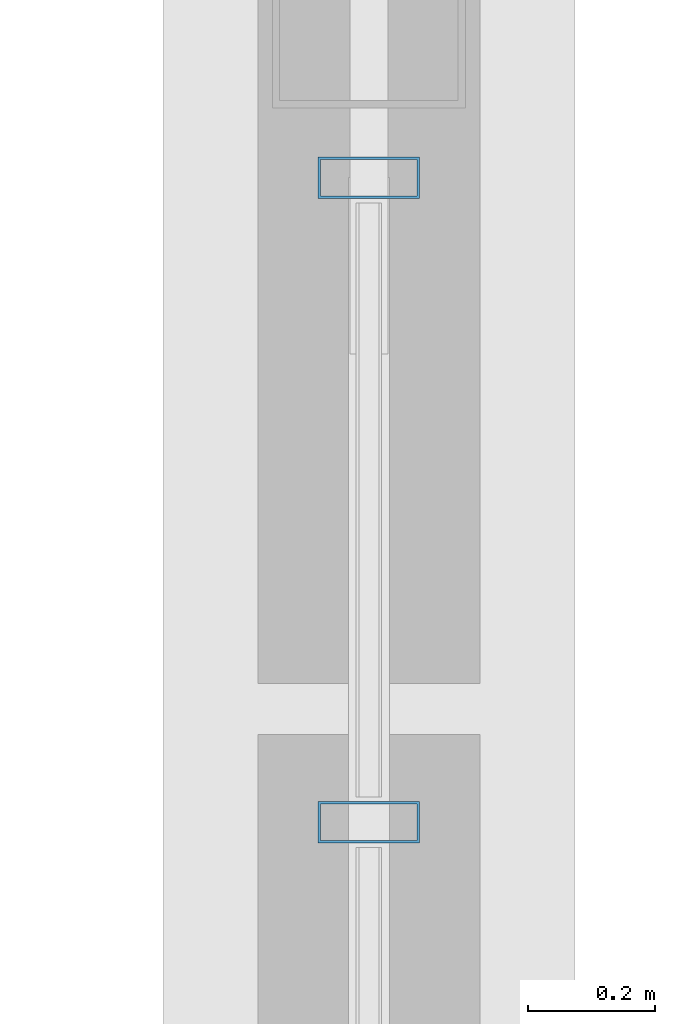
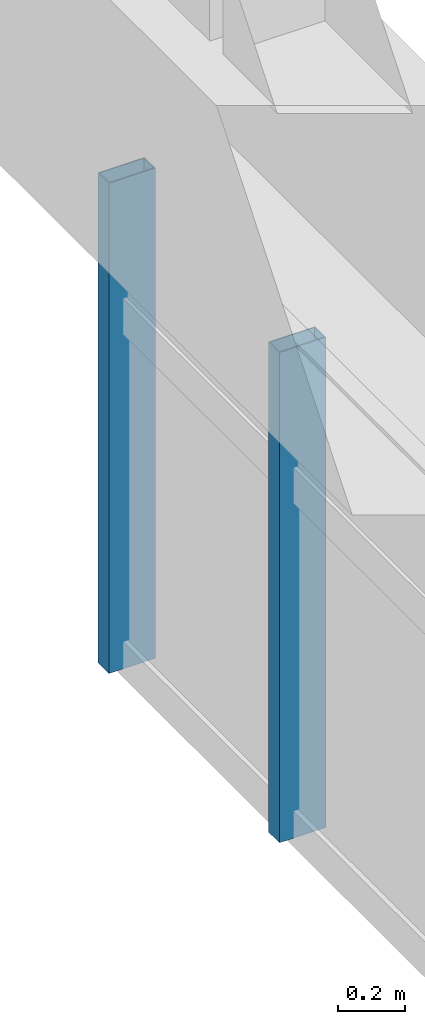
# One storey, part 20 of 65: 2 members, 1 element without a shape of its own.
"""IFC4 building model written with IfcOpenShell, lengths in metres."""

from ifc_helpers import new_model, si_unit, direction, frame, origin, origin_2d, place, context, subcontext, project, spatial, hollow_rectangle, extrude, material, layer, layer_set, material_profile, profile_set, type_object, element, aggregate, save


model = new_model("IFC4")

# Units and contexts
model_context = context("Model", 3, precision=1e-05, world=origin(), true_north=direction((0.0, 1.0)))
body_context = subcontext(model_context, "Body", "Model", "MODEL_VIEW")
ifc_project = project(units=[si_unit("LENGTHUNIT", "METRE"), si_unit("AREAUNIT", "SQUARE_METRE"), si_unit("VOLUMEUNIT", "CUBIC_METRE"), si_unit("PLANEANGLEUNIT", "RADIAN"), si_unit("MASSUNIT", "GRAM", prefix="KILO")], contexts=[model_context])

# Site, building, storey
site_placement = place(None, origin())
site = spatial("IfcSite", under=ifc_project, at=site_placement, CompositionType="ELEMENT")
building_placement = place(site_placement, origin())
building = spatial("IfcBuilding", under=site, at=building_placement, Name="Chalmorin Arch Market", CompositionType="ELEMENT")
storey_placement = place(building_placement, frame((0.0, 0.0, 14.10009765625)))
storey = spatial("IfcBuildingStorey", under=building, at=storey_placement, Name="L03", CompositionType="ELEMENT", Elevation=14.10009765625)

# Curtain wall, members
ifc_material = material(Name="Aluminium 6063-T6", Category="aluminium")
ifc_layer = layer(ifc_material, 0.159912109375)
ifc_layer_set = layer_set([ifc_layer], Name="Aluminium 6063-T6")
curtain_wall_type = type_object("IfcCurtainWallType", Name="GableTympanumCurtainWall-CW4-8130x1780", PredefinedType="NOTDEFINED", material=ifc_layer_set)
curtain_wall_placement = place(storey_placement, origin())
curtain_wall = element("IfcCurtainWall", 1, at=curtain_wall_placement, inside=storey, type_object=curtain_wall_type, Name="CW-04-039", PredefinedType="NOTDEFINED")
ifc_material_profile = material_profile(ifc_material, hollow_rectangle(XDim=0.06494140625, YDim=0.159912109375, WallThickness=0.00390625, at=origin_2d()), Name="ALU65X160X4")
ifc_profile_set = profile_set([ifc_material_profile], Name="Aluminium 6063-T6")
member_type = type_object("IfcMemberType", Name="CurtainWallMullion-65x160", PredefinedType="MULLION", material=ifc_profile_set)
member_1_placement = place(storey_placement, frame((124.800048828125, 22.321533203125, -1.60009765625), z_axis=(0.0, 0.0, 1.0), x_axis=(0.0, 1.0, 0.0)))
member_1 = element("IfcMember", 2, at=member_1_placement, type_object=member_type, Name="ML-039-08", PredefinedType="MULLION", context=body_context, shape_type="SweptSolid", body=[
    extrude(hollow_rectangle(XDim=0.06494140625, YDim=0.159912109375, WallThickness=0.00390625, at=origin_2d()), origin(), (0.0, 0.0, 1.0), 1.784912109375),
])
member_2_placement = place(storey_placement, frame((124.800048828125, 23.337646484375, -1.60009765625), z_axis=(0.0, 0.0, 1.0), x_axis=(0.0, 1.0, 0.0)))
member_2 = element("IfcMember", 3, at=member_2_placement, type_object=member_type, Name="ML-039-09", PredefinedType="MULLION", context=body_context, shape_type="SweptSolid", body=[
    extrude(hollow_rectangle(XDim=0.06494140625, YDim=0.159912109375, WallThickness=0.00390625, at=origin_2d()), origin(), (0.0, 0.0, 1.0), 1.784912109375),
])
aggregate(curtain_wall, [member_1, member_2])

save(model, "model.ifc")
